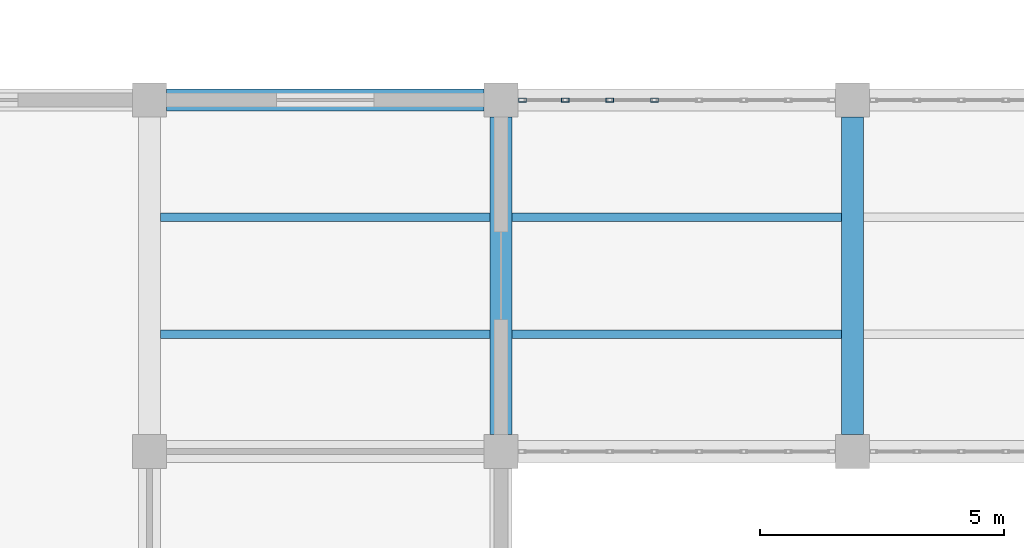
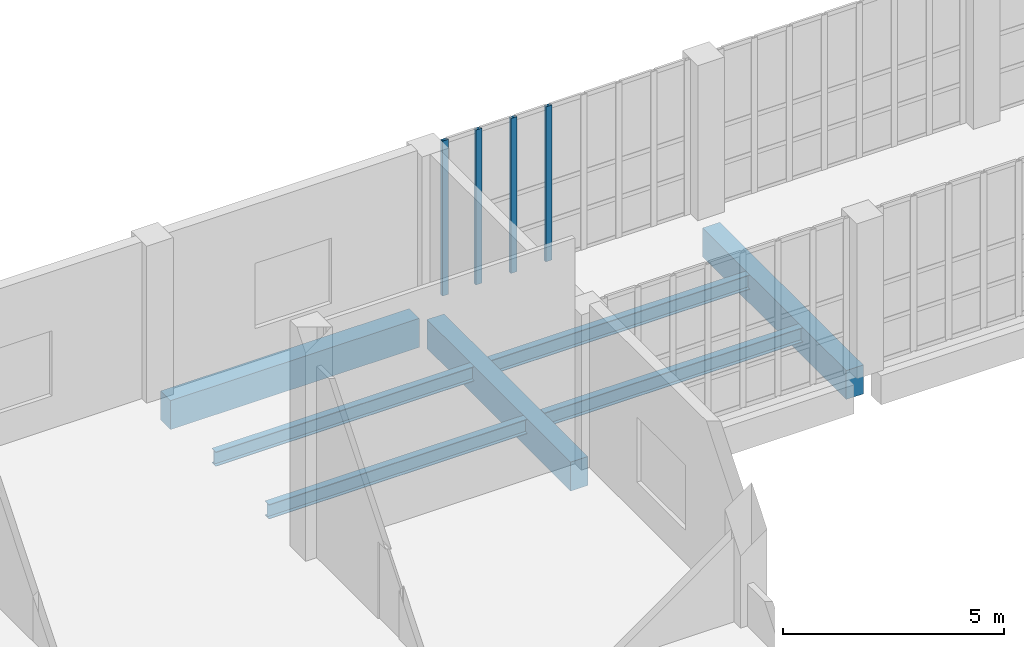
# One storey, part 24 of 108: 7 beams, 4 members, 1 element without a shape of its own.
"""IFC4 building model written with IfcOpenShell, lengths in metres."""

from ifc_helpers import new_model, si_unit, direction, frame, origin, origin_2d, place, context, subcontext, project, spatial, rectangle, hollow_rectangle, i_section, extrude, material, layer, layer_set, material_profile, profile_set, type_object, element, aggregate, save


model = new_model("IFC4")

# Units and contexts
model_context = context("Model", 3, precision=1e-05, world=origin(), true_north=direction((0.0, 1.0)))
body_context = subcontext(model_context, "Body", "Model", "MODEL_VIEW")
ifc_project = project(units=[si_unit("LENGTHUNIT", "METRE"), si_unit("AREAUNIT", "SQUARE_METRE"), si_unit("VOLUMEUNIT", "CUBIC_METRE"), si_unit("PLANEANGLEUNIT", "RADIAN"), si_unit("MASSUNIT", "GRAM", prefix="KILO"), si_unit("THERMODYNAMICTEMPERATUREUNIT", "KELVIN"), si_unit("POWERUNIT", "WATT")], contexts=[model_context])

# Site, building, storey
site_placement = place(None, origin())
site = spatial("IfcSite", under=ifc_project, at=site_placement, CompositionType="ELEMENT")
building_placement = place(site_placement, origin())
building = spatial("IfcBuilding", under=site, at=building_placement, Name="Kaldorven Railside Theatre", CompositionType="ELEMENT")
storey_placement = place(building_placement, frame((0.0, 0.0, 5.39990234375)))
storey = spatial("IfcBuildingStorey", under=building, at=storey_placement, Name="L01", CompositionType="ELEMENT", Elevation=5.39990234375)

# Beams
ifc_material_1 = material(Name="Steel S355", Category="steel")
ifc_material_profile_1 = material_profile(ifc_material_1, i_section(OverallWidth=0.179931640625, OverallDepth=0.39990234375, WebThickness=0.008544921875, FlangeThickness=0.013427734375, at=origin_2d()), Name="IPE 400")
ifc_profile_set_1 = profile_set([ifc_material_profile_1], Name="Steel S355")
beam_type_1 = type_object("IfcBeamType", Name="BM-IPE400", PredefinedType="JOIST", material=ifc_profile_set_1)
for number, where, z_axis, x_axis, name in (
    (1, (37.02490234375, 72.0, -0.449951171875), (1.0, 0.0, 0.0), (0.0, 1.0, 0.0), "L01 Secondary Floor Joist JG-L01-036-0720"),
    (2, (37.02490234375, 74.39990234375, -0.449951171875), (1.0, 0.0, 0.0), (0.0, 1.0, 0.0), "L01 Secondary Floor Joist JG-L01-036-0744"),
    (3, (44.22509765625, 72.0, -0.43994140625), (1.0, 0.0, 0.0), (0.0, 1.0, 0.0), "L01 Secondary Floor Joist JG-L01-044-0720"),
    (4, (44.22509765625, 74.39990234375, -0.43994140625), (1.0, 0.0, 0.0), (0.0, 1.0, 0.0), "L01 Secondary Floor Joist JG-L01-044-0744"),
):
    element("IfcBeam", number, at=place(storey_placement, frame(where, z_axis=z_axis, x_axis=x_axis)), inside=storey, type_object=beam_type_1, Name=name, PredefinedType="JOIST", context=body_context, shape_type="SweptSolid", body=[
        extrude(i_section(OverallWidth=0.179931640625, OverallDepth=0.39990234375, WebThickness=0.008544921875, FlangeThickness=0.013427734375, at=origin_2d()), origin(), (0.0, 0.0, 1.0), 6.75),
    ])
ifc_material_2 = material(Name="Concrete C40/50", Category="concrete")
ifc_material_profile_2 = material_profile(ifc_material_2, rectangle(XDim=0.449951171875, YDim=0.800048828125, at=origin_2d()), Name="RC 450x800")
ifc_profile_set_2 = profile_set([ifc_material_profile_2], Name="Concrete C40/50")
beam_type_2 = type_object("IfcBeamType", Name="BM-RC450x800", PredefinedType="BEAM", material=ifc_profile_set_2)
for number, where, z_axis, x_axis, name in (
    (5, (44.0, 69.949951171875, -0.64990234375), (0.0, 1.0, 0.0), (-1.0, 0.0, 0.0), "L01 Girder BGY-L01-044-069-72"),
    (6, (51.199951171875, 69.949951171875, -0.639892578125), (0.0, 1.0, 0.0), (-1.0, 0.0, 0.0), "L01 Girder BGY-L01-051-069-72"),
    (7, (37.14990234375, 76.800048828125, -0.64990234375), (1.0, 0.0, 0.0), (0.0, 1.0, 0.0), "L01 Girder BGX-L01-036-076"),
):
    element("IfcBeam", number, at=place(storey_placement, frame(where, z_axis=z_axis, x_axis=x_axis)), inside=storey, type_object=beam_type_2, Name=name, PredefinedType="BEAM", context=body_context, shape_type="SweptSolid", body=[
        extrude(rectangle(XDim=0.449951171875, YDim=0.800048828125, at=origin_2d()), origin(), (0.0, 0.0, 1.0), 6.5),
    ])

# Curtain wall, members
ifc_material_3 = material(Name="Low-E laminated solar-control glass", Category="glass")
ifc_layer = layer(ifc_material_3, 0.159912109375, Name="Low-E laminated solar-control glass")
ifc_layer_set = layer_set([ifc_layer], Name="Low-E laminated solar-control glass")
curtain_wall_type = type_object("IfcCurtainWallType", Name="CWT-25", PredefinedType="USERDEFINED", material=ifc_layer_set)
curtain_wall_placement = place(storey_placement, origin())
curtain_wall = element("IfcCurtainWall", 8, at=curtain_wall_placement, inside=storey, type_object=curtain_wall_type, Name="Sinusoidal Fluted Curtain Wall CW-L01-BN01", ObjectType="FLUTED GLAZING", PredefinedType="USERDEFINED")
ifc_material_4 = material(Name="Anodised bronze aluminium", Category="aluminium")
ifc_material_profile_3 = material_profile(ifc_material_4, hollow_rectangle(XDim=0.080078125, YDim=0.159912109375, WallThickness=0.00634765625, at=origin_2d()), Name="RHS 160x80x6.3")
ifc_profile_set_3 = profile_set([ifc_material_profile_3], Name="Anodised bronze aluminium")
member_type = type_object("IfcMemberType", Name="CWM-160", PredefinedType="MULLION", material=ifc_profile_set_3)
member_1_placement = place(storey_placement, frame((44.43994140625, 76.800048828125, 0.0), z_axis=(0.0, 0.0, 1.0), x_axis=(0.0, 1.0, 0.0)))
member_1 = element("IfcMember", 9, at=member_1_placement, type_object=member_type, Name="CW-L01-BN01 mullion 1", PredefinedType="MULLION", context=body_context, shape_type="SweptSolid", body=[
    extrude(hollow_rectangle(XDim=0.080078125, YDim=0.159912109375, WallThickness=0.00634765625, at=origin_2d()), origin(), (0.0, 0.0, 1.0), 4.280029296875),
])
member_2_placement = place(storey_placement, frame((45.314208984375, 76.800048828125, 0.0), z_axis=(0.0, 0.0, 1.0), x_axis=(0.0, 1.0, 0.0)))
member_2 = element("IfcMember", 10, at=member_2_placement, type_object=member_type, Name="CW-L01-BN01 mullion 2", PredefinedType="MULLION", context=body_context, shape_type="SweptSolid", body=[
    extrude(hollow_rectangle(XDim=0.080078125, YDim=0.159912109375, WallThickness=0.00634765625, at=origin_2d()), origin(), (0.0, 0.0, 1.0), 4.280029296875),
])
member_3_placement = place(storey_placement, frame((46.228515625, 76.800048828125, 0.0), z_axis=(0.0, 0.0, 1.0), x_axis=(0.0, 1.0, 0.0)))
member_3 = element("IfcMember", 11, at=member_3_placement, type_object=member_type, Name="CW-L01-BN01 mullion 3", PredefinedType="MULLION", context=body_context, shape_type="SweptSolid", body=[
    extrude(hollow_rectangle(XDim=0.080078125, YDim=0.159912109375, WallThickness=0.00634765625, at=origin_2d()), origin(), (0.0, 0.0, 1.0), 4.280029296875),
])
member_4_placement = place(storey_placement, frame((47.142822265625, 76.800048828125, 0.0), z_axis=(0.0, 0.0, 1.0), x_axis=(0.0, 1.0, 0.0)))
member_4 = element("IfcMember", 12, at=member_4_placement, type_object=member_type, Name="CW-L01-BN01 mullion 4", PredefinedType="MULLION", context=body_context, shape_type="SweptSolid", body=[
    extrude(hollow_rectangle(XDim=0.080078125, YDim=0.159912109375, WallThickness=0.00634765625, at=origin_2d()), origin(), (0.0, 0.0, 1.0), 4.280029296875),
])
aggregate(curtain_wall, [member_1, member_2, member_3, member_4])

save(model, "model.ifc")
